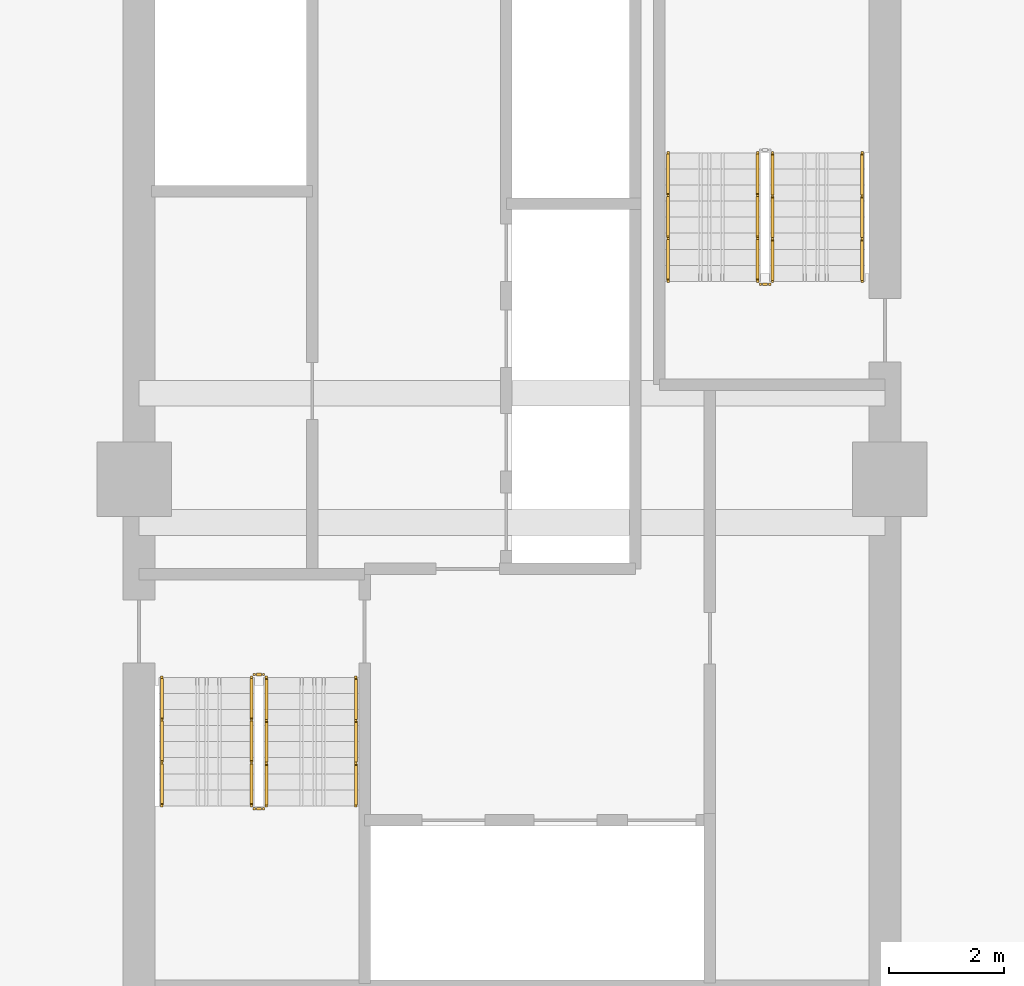
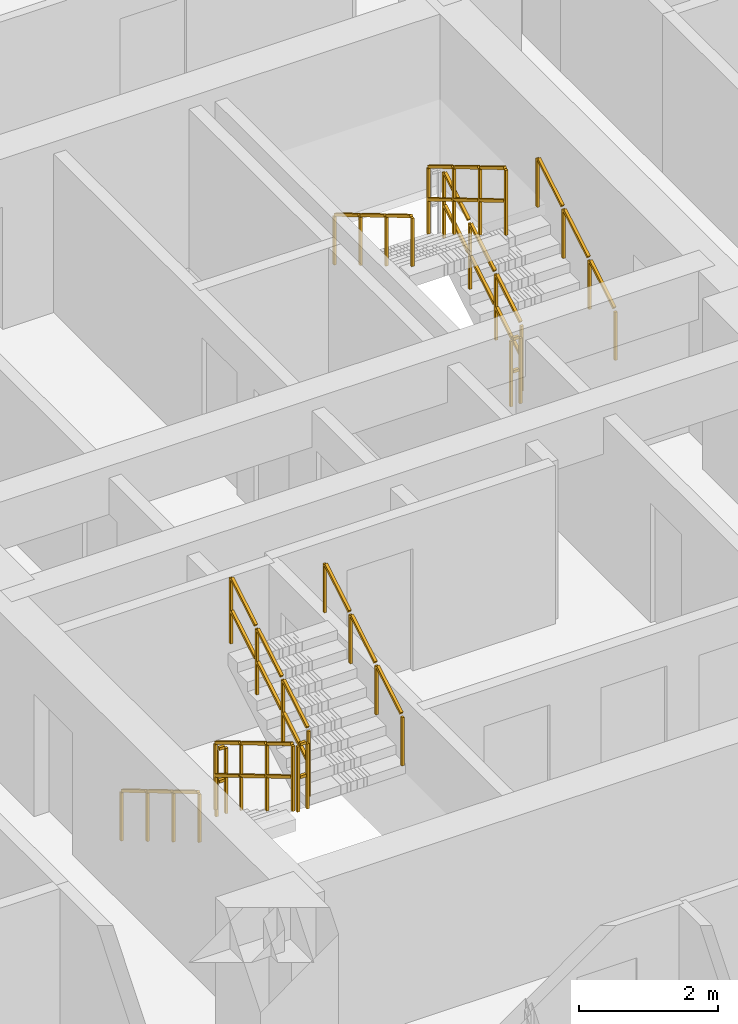
# One storey, part 11 of 13: 11 railings.
"""IFC4 building model written with IfcOpenShell, lengths in metres."""

import ifcopenshell
import ifcopenshell.guid

model = None  # the IFC model being written
_history = None  # IfcOwnerHistory: only IFC2X3 demands one
_inside = {}  # id of a spatial element -> (the spatial element, [elements in it])
_under = {}  # id of a project, library or spatial element -> (it, [spatial elements below it])
_declared = {}  # id of a project -> (the project, [libraries it declares])
_typed = {}  # id of a type object -> (the type object, [elements of that type])
_made_of = {}  # id of a material, layer set ... -> (it, [elements and type objects made of it])


def new_model(schema):
    """Start an empty IFC model of exactly this schema.

    Asked for "IFC4X3", IfcOpenShell would pick the latest addendum, in which some entities
    have other attributes; the version numbers below select the first issue.
    IFC2X3 requires an IfcOwnerHistory on every rooted entity: one is made here for all.
    """
    global model, _history
    if schema == "IFC4X3":
        model = ifcopenshell.file(schema_version=(4, 3, 0, 0))
    else:
        model = ifcopenshell.file(schema=schema)
    _inside.clear()
    _under.clear()
    _declared.clear()
    _typed.clear()
    _made_of.clear()
    _history = None
    if model.schema == "IFC2X3":
        org = make("IfcOrganization", Name="unknown")
        user = make(
            "IfcPersonAndOrganization",
            ThePerson=make("IfcPerson", FamilyName="unknown"),
            TheOrganization=org,
        )
        app = make(
            "IfcApplication",
            ApplicationDeveloper=org,
            Version="unknown",
            ApplicationFullName="unknown",
            ApplicationIdentifier="unknown",
        )
        _history = make(
            "IfcOwnerHistory",
            OwningUser=user,
            OwningApplication=app,
            ChangeAction="ADDED",
            CreationDate=0,
        )
    return model


def make(cls, **values):
    """One entity of the class cls with the attributes given. An attribute that is None is left unset."""
    return model.create_entity(
        cls, **{name: value for name, value in values.items() if value is not None}
    )


def rooted(cls, **values):
    """An entity with a GlobalId (a new one), such as an element, a storey or a relation."""
    return make(cls, GlobalId=ifcopenshell.guid.new(), OwnerHistory=_history, **values)


def si_unit(unit_type, name, prefix=None):
    """IfcSIUnit, for example si_unit("LENGTHUNIT", "METRE", prefix="MILLI")."""
    return make("IfcSIUnit", UnitType=unit_type, Prefix=prefix, Name=name)


def assignment(units):
    """IfcUnitAssignment: the units of a project."""
    return None if units is None else make("IfcUnitAssignment", Units=units)


def point(xyz):
    """IfcCartesianPoint."""
    return None if xyz is None else make("IfcCartesianPoint", Coordinates=xyz)


def direction(xyz):
    """IfcDirection."""
    return None if xyz is None else make("IfcDirection", DirectionRatios=xyz)


def frame(location, z_axis=None, x_axis=None):
    """IfcAxis2Placement3D, a coordinate frame: its origin and axes. An axis left out is left unset."""
    return make(
        "IfcAxis2Placement3D",
        Location=point(location),
        Axis=direction(z_axis),
        RefDirection=direction(x_axis),
    )


def frame_2d(location, x_axis=None):
    """IfcAxis2Placement2D, a coordinate frame in the plane: its origin and x axis."""
    return make(
        "IfcAxis2Placement2D", Location=point(location), RefDirection=direction(x_axis)
    )


def origin():
    """The frame at (0, 0, 0) with its axes left unset."""
    return frame((0.0, 0.0, 0.0))


def origin_2d():
    """The frame at (0, 0) in the plane with its x axis left unset."""
    return frame_2d((0.0, 0.0))


def place(relative_to, where):
    """IfcLocalPlacement: puts the frame where relative to a parent placement (None: the world)."""
    return make(
        "IfcLocalPlacement", PlacementRelTo=relative_to, RelativePlacement=where
    )


def context(
    kind, dimensions, precision=None, world=None, true_north=None, identifier=None
):
    """IfcGeometricRepresentationContext, for example the 3D "Model" context."""
    return make(
        "IfcGeometricRepresentationContext",
        ContextIdentifier=identifier,
        ContextType=kind,
        CoordinateSpaceDimension=dimensions,
        Precision=precision,
        WorldCoordinateSystem=world,
        TrueNorth=true_north,
    )


def subcontext(parent, identifier, kind, view, scale=None):
    """IfcGeometricRepresentationSubContext, for example "Body" below "Model"."""
    return make(
        "IfcGeometricRepresentationSubContext",
        ContextIdentifier=identifier,
        ContextType=kind,
        ParentContext=parent,
        TargetScale=scale,
        TargetView=view,
    )


def project(units=None, contexts=None):
    """IfcProject with its units and contexts."""
    return rooted(
        "IfcProject",
        Name="project",
        RepresentationContexts=contexts,
        UnitsInContext=assignment(units),
    )


def spatial(cls, under=None, at=None, **own):
    """A site, building, storey or space (cls), placed at a placement, below another one or the project."""
    s = rooted(cls, ObjectPlacement=at, **own)
    if under is not None:
        _under.setdefault(under.id(), (under, []))[1].append(s)
    return s


def profile(cls, at=None, kind="AREA", **sizes):
    """A parametric profile (cls). Its sizes go by their IFC names, for example OverallWidth=200.0."""
    return make(cls, ProfileType=kind, Position=at, **sizes)


def rectangle(**sizes):
    """IfcRectangleProfileDef."""
    return profile("IfcRectangleProfileDef", **sizes)


def extrude(swept, where, along, depth):
    """IfcExtrudedAreaSolid: the profile swept, set in the frame where, extruded along a direction by depth."""
    return make(
        "IfcExtrudedAreaSolid",
        SweptArea=swept,
        Position=where,
        ExtrudedDirection=direction(along),
        Depth=depth,
    )


def shape(context_of_items, identifier, shape_type, items):
    """IfcShapeRepresentation: the items that make up one representation, for example the "Body"."""
    return make(
        "IfcShapeRepresentation",
        ContextOfItems=context_of_items,
        RepresentationIdentifier=identifier,
        RepresentationType=shape_type,
        Items=items,
    )


def material(Name=None, Category=None):
    """IfcMaterial."""
    return make("IfcMaterial", Name=Name, Category=Category)


def made_of(thing, what):
    """Note that an element or type object is made of a material, layer set ...; save() writes the relation."""
    if what is not None:
        _made_of.setdefault(what.id(), (what, []))[1].append(thing)
    return thing


def type_object(cls, material=None, **own):
    """A type object (cls), such as IfcWallType, which elements share."""
    return made_of(rooted(cls, **own), material)


def element(
    cls,
    number,
    at=None,
    inside=None,
    cuts=None,
    type_object=None,
    material=None,
    context=None,
    identifier="Body",
    shape_type=None,
    held_by="IfcProductDefinitionShape",
    body=None,
    shapes=None,
    **own,
):
    """One element of the class cls, such as IfcWall. Its Tag is "e" and its number.

    at: its placement. inside: the storey or other place that contains it. cuts: it is an
    opening in that element (IfcRelVoidsElement). A single representation is given by context,
    identifier, shape_type and body (its items); several are given by shapes. held_by: the class
    of the entity that holds the representations. save() writes the other relations.
    """
    e = rooted(cls, Tag="e%d" % number, ObjectPlacement=at, **own)
    if body is not None:
        shapes = [shape(context, identifier, shape_type, body)]
    if shapes is not None:
        e.Representation = make(held_by, Representations=shapes)
    if inside is not None:
        _inside.setdefault(inside.id(), (inside, []))[1].append(e)
    if cuts is not None:
        rooted(
            "IfcRelVoidsElement", RelatingBuildingElement=cuts, RelatedOpeningElement=e
        )
    if type_object is not None:
        _typed.setdefault(type_object.id(), (type_object, []))[1].append(e)
    return made_of(e, material)


def aggregate(whole, parts):
    """IfcRelAggregates: a whole, such as a stair, and the parts it consists of."""
    return rooted("IfcRelAggregates", RelatingObject=whole, RelatedObjects=parts)


def save(model, path):
    """Write the relations noted so far, then the file.

    IfcRelAggregates (storeys below a building ...), IfcRelContainedInSpatialStructure (elements
    in a storey), IfcRelDefinesByType, IfcRelAssociatesMaterial and IfcRelDeclares: one each for
    every whole, place, type object, material and project.
    """
    for whole, parts in _under.values():
        aggregate(whole, parts)
    for where, things in _inside.values():
        rooted(
            "IfcRelContainedInSpatialStructure",
            RelatedElements=things,
            RelatingStructure=where,
        )
    for kind, things in _typed.values():
        rooted("IfcRelDefinesByType", RelatedObjects=things, RelatingType=kind)
    for what, things in _made_of.values():
        rooted("IfcRelAssociatesMaterial", RelatedObjects=things, RelatingMaterial=what)
    for by, libraries in _declared.values():
        rooted("IfcRelDeclares", RelatingContext=by, RelatedDefinitions=libraries)
    model.write(path)


model = new_model("IFC4")

# Units and contexts
model_context = context("Model", 3, precision=1e-05, world=origin(), true_north=direction((0.0, 1.0)))
body_context = subcontext(model_context, "Body", "Model", "MODEL_VIEW")
ifc_project = project(units=[si_unit("LENGTHUNIT", "METRE"), si_unit("AREAUNIT", "SQUARE_METRE"), si_unit("VOLUMEUNIT", "CUBIC_METRE"), si_unit("PLANEANGLEUNIT", "RADIAN"), si_unit("MASSUNIT", "GRAM", prefix="KILO")], contexts=[model_context])

# Site, building, storey
site_placement = place(None, origin())
site = spatial("IfcSite", under=ifc_project, at=site_placement, CompositionType="ELEMENT")
building_placement = place(site_placement, origin())
building = spatial("IfcBuilding", under=site, at=building_placement, Name="Saelheon Loggia Tower", CompositionType="ELEMENT")
storey_placement = place(building_placement, frame((0.0, 0.0, 92.85009765625)))
storey = spatial("IfcBuildingStorey", under=building, at=storey_placement, Name="L29", CompositionType="ELEMENT", Elevation=92.85009765625)

# Railings
ifc_material_1 = material(Name="Galvanised Steel S275 Stairwell Guardrail", Category="steel")
railing_type_1 = type_object("IfcRailingType", Name="Guard_StairWell_RL_STG", PredefinedType="GUARDRAIL", material=ifc_material_1)
railing_1_placement = place(storey_placement, frame((33.4599609375, 23.550048828125, 0.16650390625)))
element("IfcRailing", 1, at=railing_1_placement, inside=storey, type_object=railing_type_1, Name="L29 ST1 stair guard 1", PredefinedType="GUARDRAIL", context=body_context, shape_type="SweptSolid", body=[
    extrude(rectangle(XDim=0.048095703125, YDim=0.048095703125, at=origin_2d()), frame((0.0, -0.028564453125, 1.19287109375), z_axis=(0.0, -0.859264461869, 0.511531606619), x_axis=(1.0, 0.0, 0.0)), (0.0, 0.0, 1.0), 0.802490234375),
    extrude(rectangle(XDim=0.048095703125, YDim=0.048095703125, at=origin_2d()), frame((0.0, -0.028564453125, 0.616943359375), z_axis=(0.0, -0.859264461869, 0.511531606619), x_axis=(1.0, 0.0, 0.0)), (0.0, 0.0, 1.0), 0.802490234375),
    extrude(rectangle(XDim=0.048095703125, YDim=0.048095703125, at=origin_2d()), frame((0.0, -0.775146484375, 1.637451171875), z_axis=(0.0, -0.859264461869, 0.511531606619), x_axis=(1.0, 0.0, 0.0)), (0.0, 0.0, 1.0), 0.802490234375),
    extrude(rectangle(XDim=0.048095703125, YDim=0.048095703125, at=origin_2d()), frame((0.0, -0.775146484375, 1.0615234375), z_axis=(0.0, -0.859264461869, 0.511531606619), x_axis=(1.0, 0.0, 0.0)), (0.0, 0.0, 1.0), 0.802490234375),
    extrude(rectangle(XDim=0.048095703125, YDim=0.048095703125, at=origin_2d()), frame((0.0, -1.52197265625, 2.081787109375), z_axis=(0.0, -0.859264461869, 0.511531606619), x_axis=(1.0, 0.0, 0.0)), (0.0, 0.0, 1.0), 0.802490234375),
    extrude(rectangle(XDim=0.048095703125, YDim=0.048095703125, at=origin_2d()), frame((0.0, -1.52197265625, 1.505859375), z_axis=(0.0, -0.859264461869, 0.511531606619), x_axis=(1.0, 0.0, 0.0)), (0.0, 0.0, 1.0), 0.802490234375),
    extrude(rectangle(XDim=0.0419921875, YDim=0.0419921875, at=origin_2d()), origin(), (0.0, 0.0, 1.0), 1.14794921875),
    extrude(rectangle(XDim=0.0419921875, YDim=0.0419921875, at=origin_2d()), frame((0.0, -0.74658203125, 0.444580078125)), (0.0, 0.0, 1.0), 1.14794921875),
    extrude(rectangle(XDim=0.0419921875, YDim=0.0419921875, at=origin_2d()), frame((0.0, -1.493408203125, 0.888916015625)), (0.0, 0.0, 1.0), 1.14794921875),
    extrude(rectangle(XDim=0.0419921875, YDim=0.0419921875, at=origin_2d()), frame((0.0, -2.239990234375, 1.33349609375)), (0.0, 0.0, 1.0), 1.14794921875),
])
railing_2_placement = place(storey_placement, frame((33.510009765625, 21.260009765625, 1.5)))
element("IfcRailing", 2, at=railing_2_placement, inside=storey, type_object=railing_type_1, Name="L29 ST1 stair guard 2", PredefinedType="GUARDRAIL", context=body_context, shape_type="SweptSolid", body=[
    extrude(rectangle(XDim=0.048095703125, YDim=0.048095703125, at=origin_2d()), frame((0.033203125, 0.0, 1.17578125), z_axis=(1.0, 0.0, 0.0), x_axis=(0.0, 1.0, 0.0)), (0.0, 0.0, 1.0), 0.093505859375),
    extrude(rectangle(XDim=0.048095703125, YDim=0.048095703125, at=origin_2d()), frame((0.033203125, 0.0, 0.60009765625), z_axis=(1.0, 0.0, 0.0), x_axis=(0.0, 1.0, 0.0)), (0.0, 0.0, 1.0), 0.093505859375),
    extrude(rectangle(XDim=0.0419921875, YDim=0.0419921875, at=origin_2d()), origin(), (0.0, 0.0, 1.0), 1.14794921875),
    extrude(rectangle(XDim=0.0419921875, YDim=0.0419921875, at=origin_2d()), frame((0.159912109375, 0.0, 0.0)), (0.0, 0.0, 1.0), 1.14794921875),
])
railing_3_placement = place(storey_placement, frame((33.719970703125, 21.31005859375, 1.66650390625)))
element("IfcRailing", 3, at=railing_3_placement, inside=storey, type_object=railing_type_1, Name="L29 ST1 stair guard 3", PredefinedType="GUARDRAIL", context=body_context, shape_type="SweptSolid", body=[
    extrude(rectangle(XDim=0.048095703125, YDim=0.048095703125, at=origin_2d()), frame((0.0, 0.028564453125, 1.19287109375), z_axis=(0.0, 0.859264461869, 0.511531606619), x_axis=(-1.0, 0.0, 0.0)), (0.0, 0.0, 1.0), 0.802490234375),
    extrude(rectangle(XDim=0.048095703125, YDim=0.048095703125, at=origin_2d()), frame((0.0, 0.028564453125, 0.616943359375), z_axis=(0.0, 0.859264461869, 0.511531606619), x_axis=(-1.0, 0.0, 0.0)), (0.0, 0.0, 1.0), 0.802490234375),
    extrude(rectangle(XDim=0.048095703125, YDim=0.048095703125, at=origin_2d()), frame((0.0, 0.775146484375, 1.637451171875), z_axis=(0.0, 0.859264461869, 0.511531606619), x_axis=(-1.0, 0.0, 0.0)), (0.0, 0.0, 1.0), 0.802490234375),
    extrude(rectangle(XDim=0.048095703125, YDim=0.048095703125, at=origin_2d()), frame((0.0, 0.775146484375, 1.0615234375), z_axis=(0.0, 0.859264461869, 0.511531606619), x_axis=(-1.0, 0.0, 0.0)), (0.0, 0.0, 1.0), 0.802490234375),
    extrude(rectangle(XDim=0.048095703125, YDim=0.048095703125, at=origin_2d()), frame((0.0, 1.52197265625, 2.081787109375), z_axis=(0.0, 0.859264461869, 0.511531606619), x_axis=(-1.0, 0.0, 0.0)), (0.0, 0.0, 1.0), 0.802490234375),
    extrude(rectangle(XDim=0.048095703125, YDim=0.048095703125, at=origin_2d()), frame((0.0, 1.52197265625, 1.505859375), z_axis=(0.0, 0.859264461869, 0.511531606619), x_axis=(-1.0, 0.0, 0.0)), (0.0, 0.0, 1.0), 0.802490234375),
    extrude(rectangle(XDim=0.0419921875, YDim=0.0419921875, at=origin_2d()), origin(), (0.0, 0.0, 1.0), 1.14794921875),
    extrude(rectangle(XDim=0.0419921875, YDim=0.0419921875, at=origin_2d()), frame((0.0, 0.74658203125, 0.444580078125)), (0.0, 0.0, 1.0), 1.14794921875),
    extrude(rectangle(XDim=0.0419921875, YDim=0.0419921875, at=origin_2d()), frame((0.0, 1.493408203125, 0.888916015625)), (0.0, 0.0, 1.0), 1.14794921875),
    extrude(rectangle(XDim=0.0419921875, YDim=0.0419921875, at=origin_2d()), frame((0.0, 2.239990234375, 1.33349609375)), (0.0, 0.0, 1.0), 1.14794921875),
])
railing_4_placement = place(storey_placement, frame((33.510009765625, 23.60009765625, 0.0)))
element("IfcRailing", 4, at=railing_4_placement, inside=storey, type_object=railing_type_1, Name="L29 ST1 stair guard 4", PredefinedType="GUARDRAIL", context=body_context, shape_type="SweptSolid", body=[
    extrude(rectangle(XDim=0.048095703125, YDim=0.048095703125, at=origin_2d()), frame((0.033203125, 0.0, 1.17578125), z_axis=(1.0, 0.0, 0.0), x_axis=(0.0, 1.0, 0.0)), (0.0, 0.0, 1.0), 0.093505859375),
    extrude(rectangle(XDim=0.048095703125, YDim=0.048095703125, at=origin_2d()), frame((0.033203125, 0.0, 0.60009765625), z_axis=(1.0, 0.0, 0.0), x_axis=(0.0, 1.0, 0.0)), (0.0, 0.0, 1.0), 0.093505859375),
    extrude(rectangle(XDim=0.0419921875, YDim=0.0419921875, at=origin_2d()), origin(), (0.0, 0.0, 1.0), 1.14794921875),
    extrude(rectangle(XDim=0.0419921875, YDim=0.0419921875, at=origin_2d()), frame((0.159912109375, 0.0, 0.0)), (0.0, 0.0, 1.0), 1.14794921875),
])
railing_5_placement = place(storey_placement, frame((42.5400390625, 30.449951171875, 0.16650390625)))
element("IfcRailing", 5, at=railing_5_placement, inside=storey, type_object=railing_type_1, Name="L29 ST2 stair guard 1", PredefinedType="GUARDRAIL", context=body_context, shape_type="SweptSolid", body=[
    extrude(rectangle(XDim=0.048095703125, YDim=0.048095703125, at=origin_2d()), frame((0.0, 0.028564453125, 1.19287109375), z_axis=(0.0, 0.859264461869, 0.511531606619), x_axis=(-1.0, 0.0, 0.0)), (0.0, 0.0, 1.0), 0.802490234375),
    extrude(rectangle(XDim=0.048095703125, YDim=0.048095703125, at=origin_2d()), frame((0.0, 0.028564453125, 0.616943359375), z_axis=(0.0, 0.859264461869, 0.511531606619), x_axis=(-1.0, 0.0, 0.0)), (0.0, 0.0, 1.0), 0.802490234375),
    extrude(rectangle(XDim=0.048095703125, YDim=0.048095703125, at=origin_2d()), frame((0.0, 0.775146484375, 1.637451171875), z_axis=(0.0, 0.859264461869, 0.511531606619), x_axis=(-1.0, 0.0, 0.0)), (0.0, 0.0, 1.0), 0.802490234375),
    extrude(rectangle(XDim=0.048095703125, YDim=0.048095703125, at=origin_2d()), frame((0.0, 0.775146484375, 1.0615234375), z_axis=(0.0, 0.859264461869, 0.511531606619), x_axis=(-1.0, 0.0, 0.0)), (0.0, 0.0, 1.0), 0.802490234375),
    extrude(rectangle(XDim=0.048095703125, YDim=0.048095703125, at=origin_2d()), frame((0.0, 1.52197265625, 2.081787109375), z_axis=(0.0, 0.859264461869, 0.511531606619), x_axis=(-1.0, 0.0, 0.0)), (0.0, 0.0, 1.0), 0.802490234375),
    extrude(rectangle(XDim=0.048095703125, YDim=0.048095703125, at=origin_2d()), frame((0.0, 1.52197265625, 1.505859375), z_axis=(0.0, 0.859264461869, 0.511531606619), x_axis=(-1.0, 0.0, 0.0)), (0.0, 0.0, 1.0), 0.802490234375),
    extrude(rectangle(XDim=0.0419921875, YDim=0.0419921875, at=origin_2d()), origin(), (0.0, 0.0, 1.0), 1.14794921875),
    extrude(rectangle(XDim=0.0419921875, YDim=0.0419921875, at=origin_2d()), frame((0.0, 0.74658203125, 0.444580078125)), (0.0, 0.0, 1.0), 1.14794921875),
    extrude(rectangle(XDim=0.0419921875, YDim=0.0419921875, at=origin_2d()), frame((0.0, 1.493408203125, 0.888916015625)), (0.0, 0.0, 1.0), 1.14794921875),
    extrude(rectangle(XDim=0.0419921875, YDim=0.0419921875, at=origin_2d()), frame((0.0, 2.239990234375, 1.33349609375)), (0.0, 0.0, 1.0), 1.14794921875),
])
railing_6_placement = place(storey_placement, frame((42.280029296875, 32.68994140625, 1.66650390625)))
element("IfcRailing", 6, at=railing_6_placement, inside=storey, type_object=railing_type_1, Name="L29 ST2 stair guard 3", PredefinedType="GUARDRAIL", context=body_context, shape_type="SweptSolid", body=[
    extrude(rectangle(XDim=0.048095703125, YDim=0.048095703125, at=origin_2d()), frame((0.0, -0.028564453125, 1.19287109375), z_axis=(0.0, -0.859264461869, 0.511531606619), x_axis=(1.0, 0.0, 0.0)), (0.0, 0.0, 1.0), 0.802490234375),
    extrude(rectangle(XDim=0.048095703125, YDim=0.048095703125, at=origin_2d()), frame((0.0, -0.028564453125, 0.616943359375), z_axis=(0.0, -0.859264461869, 0.511531606619), x_axis=(1.0, 0.0, 0.0)), (0.0, 0.0, 1.0), 0.802490234375),
    extrude(rectangle(XDim=0.048095703125, YDim=0.048095703125, at=origin_2d()), frame((0.0, -0.775146484375, 1.637451171875), z_axis=(0.0, -0.859264461869, 0.511531606619), x_axis=(1.0, 0.0, 0.0)), (0.0, 0.0, 1.0), 0.802490234375),
    extrude(rectangle(XDim=0.048095703125, YDim=0.048095703125, at=origin_2d()), frame((0.0, -0.775146484375, 1.0615234375), z_axis=(0.0, -0.859264461869, 0.511531606619), x_axis=(1.0, 0.0, 0.0)), (0.0, 0.0, 1.0), 0.802490234375),
    extrude(rectangle(XDim=0.048095703125, YDim=0.048095703125, at=origin_2d()), frame((0.0, -1.52197265625, 2.081787109375), z_axis=(0.0, -0.859264461869, 0.511531606619), x_axis=(1.0, 0.0, 0.0)), (0.0, 0.0, 1.0), 0.802490234375),
    extrude(rectangle(XDim=0.048095703125, YDim=0.048095703125, at=origin_2d()), frame((0.0, -1.52197265625, 1.505859375), z_axis=(0.0, -0.859264461869, 0.511531606619), x_axis=(1.0, 0.0, 0.0)), (0.0, 0.0, 1.0), 0.802490234375),
    extrude(rectangle(XDim=0.0419921875, YDim=0.0419921875, at=origin_2d()), origin(), (0.0, 0.0, 1.0), 1.14794921875),
    extrude(rectangle(XDim=0.0419921875, YDim=0.0419921875, at=origin_2d()), frame((0.0, -0.74658203125, 0.444580078125)), (0.0, 0.0, 1.0), 1.14794921875),
    extrude(rectangle(XDim=0.0419921875, YDim=0.0419921875, at=origin_2d()), frame((0.0, -1.493408203125, 0.888916015625)), (0.0, 0.0, 1.0), 1.14794921875),
    extrude(rectangle(XDim=0.0419921875, YDim=0.0419921875, at=origin_2d()), frame((0.0, -2.239990234375, 1.33349609375)), (0.0, 0.0, 1.0), 1.14794921875),
])
railing_7_placement = place(storey_placement, frame((42.489990234375, 30.39990234375, 0.0)))
element("IfcRailing", 7, at=railing_7_placement, inside=storey, type_object=railing_type_1, Name="L29 ST2 stair guard 4", PredefinedType="GUARDRAIL", context=body_context, shape_type="SweptSolid", body=[
    extrude(rectangle(XDim=0.048095703125, YDim=0.048095703125, at=origin_2d()), frame((-0.033203125, 0.0, 1.17578125), z_axis=(-1.0, 0.0, 0.0), x_axis=(0.0, -1.0, 0.0)), (0.0, 0.0, 1.0), 0.093505859375),
    extrude(rectangle(XDim=0.048095703125, YDim=0.048095703125, at=origin_2d()), frame((-0.033203125, 0.0, 0.60009765625), z_axis=(-1.0, 0.0, 0.0), x_axis=(0.0, -1.0, 0.0)), (0.0, 0.0, 1.0), 0.093505859375),
    extrude(rectangle(XDim=0.0419921875, YDim=0.0419921875, at=origin_2d()), origin(), (0.0, 0.0, 1.0), 1.14794921875),
    extrude(rectangle(XDim=0.0419921875, YDim=0.0419921875, at=origin_2d()), frame((-0.159912109375, 0.0, 0.0)), (0.0, 0.0, 1.0), 1.14794921875),
])
ifc_material_2 = material(Name="Stainless Steel 304 Tubular Handrail", Category="steel")
railing_type_2 = type_object("IfcRailingType", Name="Handrail_Stair_RL_HR1", PredefinedType="HANDRAIL", material=ifc_material_2)
railing_8_placement = place(storey_placement, frame((31.89990234375, 23.550048828125, 0.16650390625)))
element("IfcRailing", 8, at=railing_8_placement, inside=storey, type_object=railing_type_2, Name="L29 ST1 stair handrail 1", PredefinedType="HANDRAIL", context=body_context, shape_type="SweptSolid", body=[
    extrude(rectangle(XDim=0.048095703125, YDim=0.048095703125, at=origin_2d()), frame((0.0, -0.028564453125, 0.892822265625), z_axis=(0.0, -0.859264461869, 0.511531606619), x_axis=(1.0, 0.0, 0.0)), (0.0, 0.0, 1.0), 0.802490234375),
    extrude(rectangle(XDim=0.048095703125, YDim=0.048095703125, at=origin_2d()), frame((0.0, -0.775146484375, 1.33740234375), z_axis=(0.0, -0.859264461869, 0.511531606619), x_axis=(1.0, 0.0, 0.0)), (0.0, 0.0, 1.0), 0.802490234375),
    extrude(rectangle(XDim=0.048095703125, YDim=0.048095703125, at=origin_2d()), frame((0.0, -1.52197265625, 1.78173828125), z_axis=(0.0, -0.859264461869, 0.511531606619), x_axis=(1.0, 0.0, 0.0)), (0.0, 0.0, 1.0), 0.802490234375),
    extrude(rectangle(XDim=0.0419921875, YDim=0.0419921875, at=origin_2d()), origin(), (0.0, 0.0, 1.0), 0.847900390625),
    extrude(rectangle(XDim=0.0419921875, YDim=0.0419921875, at=origin_2d()), frame((0.0, -0.74658203125, 0.444580078125)), (0.0, 0.0, 1.0), 0.847900390625),
    extrude(rectangle(XDim=0.0419921875, YDim=0.0419921875, at=origin_2d()), frame((0.0, -1.493408203125, 0.888916015625)), (0.0, 0.0, 1.0), 0.847900390625),
    extrude(rectangle(XDim=0.0419921875, YDim=0.0419921875, at=origin_2d()), frame((0.0, -2.239990234375, 1.33349609375)), (0.0, 0.0, 1.0), 0.847900390625),
])
for number, where, name in (
    (9, (35.280029296875, 21.31005859375, 1.66650390625), "L29 ST1 stair handrail 2"),
    (10, (44.10009765625, 30.449951171875, 0.16650390625), "L29 ST2 stair handrail 1"),
):
    element("IfcRailing", number, at=place(storey_placement, frame(where)), inside=storey, type_object=railing_type_2, Name=name, PredefinedType="HANDRAIL", context=body_context, shape_type="SweptSolid", body=[
        extrude(rectangle(XDim=0.048095703125, YDim=0.048095703125, at=origin_2d()), frame((0.0, 0.028564453125, 0.892822265625), z_axis=(0.0, 0.859264461869, 0.511531606619), x_axis=(-1.0, 0.0, 0.0)), (0.0, 0.0, 1.0), 0.802490234375),
        extrude(rectangle(XDim=0.048095703125, YDim=0.048095703125, at=origin_2d()), frame((0.0, 0.775146484375, 1.33740234375), z_axis=(0.0, 0.859264461869, 0.511531606619), x_axis=(-1.0, 0.0, 0.0)), (0.0, 0.0, 1.0), 0.802490234375),
        extrude(rectangle(XDim=0.048095703125, YDim=0.048095703125, at=origin_2d()), frame((0.0, 1.52197265625, 1.78173828125), z_axis=(0.0, 0.859264461869, 0.511531606619), x_axis=(-1.0, 0.0, 0.0)), (0.0, 0.0, 1.0), 0.802490234375),
        extrude(rectangle(XDim=0.0419921875, YDim=0.0419921875, at=origin_2d()), origin(), (0.0, 0.0, 1.0), 0.847900390625),
        extrude(rectangle(XDim=0.0419921875, YDim=0.0419921875, at=origin_2d()), frame((0.0, 0.74658203125, 0.444580078125)), (0.0, 0.0, 1.0), 0.847900390625),
        extrude(rectangle(XDim=0.0419921875, YDim=0.0419921875, at=origin_2d()), frame((0.0, 1.493408203125, 0.888916015625)), (0.0, 0.0, 1.0), 0.847900390625),
        extrude(rectangle(XDim=0.0419921875, YDim=0.0419921875, at=origin_2d()), frame((0.0, 2.239990234375, 1.33349609375)), (0.0, 0.0, 1.0), 0.847900390625),
    ])
railing_9_placement = place(storey_placement, frame((40.719970703125, 32.68994140625, 1.66650390625)))
element("IfcRailing", 11, at=railing_9_placement, inside=storey, type_object=railing_type_2, Name="L29 ST2 stair handrail 2", PredefinedType="HANDRAIL", context=body_context, shape_type="SweptSolid", body=[
    extrude(rectangle(XDim=0.048095703125, YDim=0.048095703125, at=origin_2d()), frame((0.0, -0.028564453125, 0.892822265625), z_axis=(0.0, -0.859264461869, 0.511531606619), x_axis=(1.0, 0.0, 0.0)), (0.0, 0.0, 1.0), 0.802490234375),
    extrude(rectangle(XDim=0.048095703125, YDim=0.048095703125, at=origin_2d()), frame((0.0, -0.775146484375, 1.33740234375), z_axis=(0.0, -0.859264461869, 0.511531606619), x_axis=(1.0, 0.0, 0.0)), (0.0, 0.0, 1.0), 0.802490234375),
    extrude(rectangle(XDim=0.048095703125, YDim=0.048095703125, at=origin_2d()), frame((0.0, -1.52197265625, 1.78173828125), z_axis=(0.0, -0.859264461869, 0.511531606619), x_axis=(1.0, 0.0, 0.0)), (0.0, 0.0, 1.0), 0.802490234375),
    extrude(rectangle(XDim=0.0419921875, YDim=0.0419921875, at=origin_2d()), origin(), (0.0, 0.0, 1.0), 0.847900390625),
    extrude(rectangle(XDim=0.0419921875, YDim=0.0419921875, at=origin_2d()), frame((0.0, -0.74658203125, 0.444580078125)), (0.0, 0.0, 1.0), 0.847900390625),
    extrude(rectangle(XDim=0.0419921875, YDim=0.0419921875, at=origin_2d()), frame((0.0, -1.493408203125, 0.888916015625)), (0.0, 0.0, 1.0), 0.847900390625),
    extrude(rectangle(XDim=0.0419921875, YDim=0.0419921875, at=origin_2d()), frame((0.0, -2.239990234375, 1.33349609375)), (0.0, 0.0, 1.0), 0.847900390625),
])

save(model, "model.ifc")
